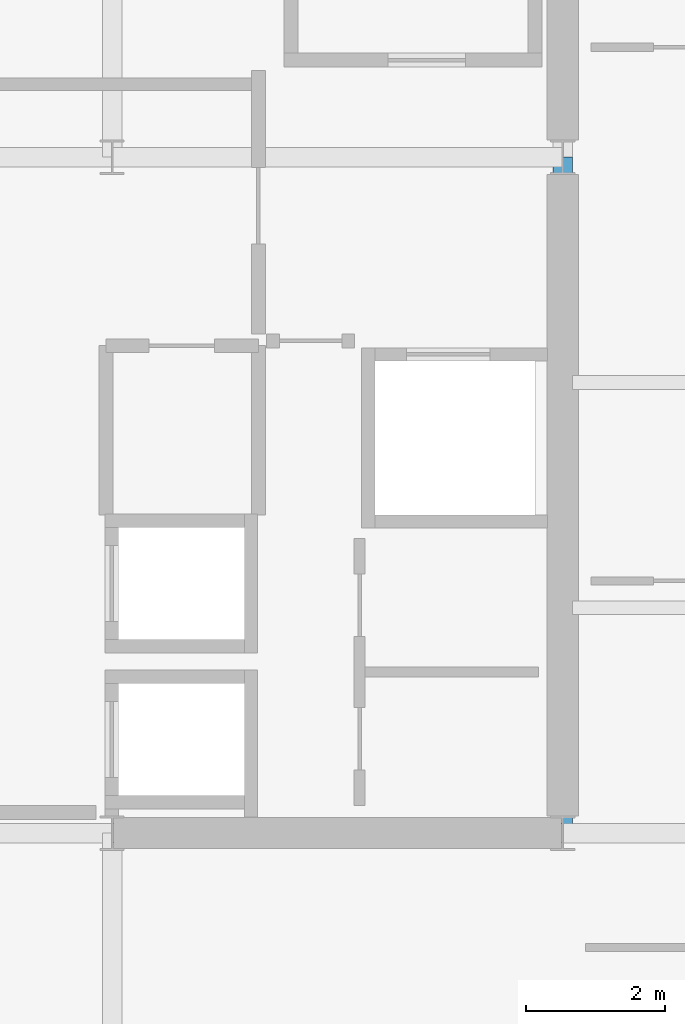
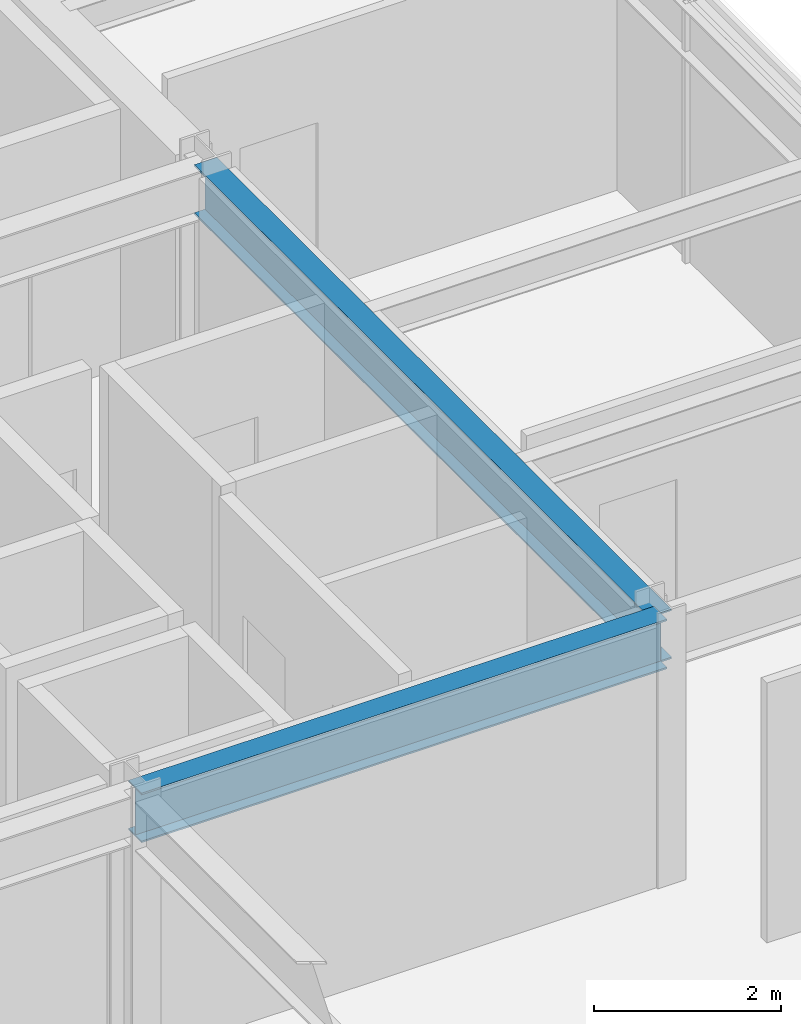
# One storey, part 12 of 30: 2 beams.
"""IFC4 building model written with IfcOpenShell, lengths in metres."""

from ifc_helpers import new_model, si_unit, direction, frame, origin, origin_2d, place, context, subcontext, project, spatial, i_section, extrude, material, material_profile, profile_set, type_object, element, save


model = new_model("IFC4")

# Units and contexts
model_context = context("Model", 3, precision=1e-05, world=origin(), true_north=direction((0.0, 1.0)))
body_context = subcontext(model_context, "Body", "Model", "MODEL_VIEW")
ifc_project = project(units=[si_unit("LENGTHUNIT", "METRE"), si_unit("AREAUNIT", "SQUARE_METRE"), si_unit("VOLUMEUNIT", "CUBIC_METRE"), si_unit("PLANEANGLEUNIT", "RADIAN"), si_unit("MASSUNIT", "GRAM", prefix="KILO")], contexts=[model_context])

# Site, building, storey
site_placement = place(None, origin())
site = spatial("IfcSite", under=ifc_project, at=site_placement, CompositionType="ELEMENT")
building_placement = place(site_placement, origin())
building = spatial("IfcBuilding", under=site, at=building_placement, Name="Brelmoor Portico Tower", CompositionType="ELEMENT")
storey_placement = place(building_placement, frame((0.0, 0.0, 169.5)))
storey = spatial("IfcBuildingStorey", under=building, at=storey_placement, Name="L44", CompositionType="ELEMENT", Elevation=169.5)

# Beams
ifc_material = material(Name="Steel Q355B", Category="steel")
ifc_material_profile = material_profile(ifc_material, i_section(OverallWidth=0.280029296875, OverallDepth=0.64990234375, WebThickness=0.012939453125, FlangeThickness=0.02197265625, at=origin_2d()), Name="HN 650x280x13x22")
ifc_profile_set = profile_set([ifc_material_profile], Name="Steel Q355B")
beam_type = type_object("IfcBeamType", Name="BM-PG-650", PredefinedType="BEAM", material=ifc_profile_set)
beam_1_placement = place(storey_placement, frame((14.550048828125, -9.75, 3.074951171875), z_axis=(0.0, 1.0, 0.0), x_axis=(-1.0, 0.0, 0.0)))
element("IfcBeam", 1, at=beam_1_placement, inside=storey, type_object=beam_type, Name="L44 Primary Floor Girder PG-09", PredefinedType="BEAM", context=body_context, shape_type="SweptSolid", body=[
    extrude(i_section(OverallWidth=0.280029296875, OverallDepth=0.64990234375, WebThickness=0.012939453125, FlangeThickness=0.02197265625, at=origin_2d()), origin(), (0.0, 0.0, 1.0), 9.75),
])
beam_2_placement = place(storey_placement, frame((8.050048828125, -9.75, 3.074951171875), z_axis=(1.0, 0.0, 0.0), x_axis=(0.0, 1.0, 0.0)))
element("IfcBeam", 2, at=beam_2_placement, inside=storey, type_object=beam_type, Name="L44 Primary Floor Girder PG-14", PredefinedType="BEAM", context=body_context, shape_type="SweptSolid", body=[
    extrude(i_section(OverallWidth=0.280029296875, OverallDepth=0.64990234375, WebThickness=0.012939453125, FlangeThickness=0.02197265625, at=origin_2d()), origin(), (0.0, 0.0, 1.0), 6.5),
])

save(model, "model.ifc")
